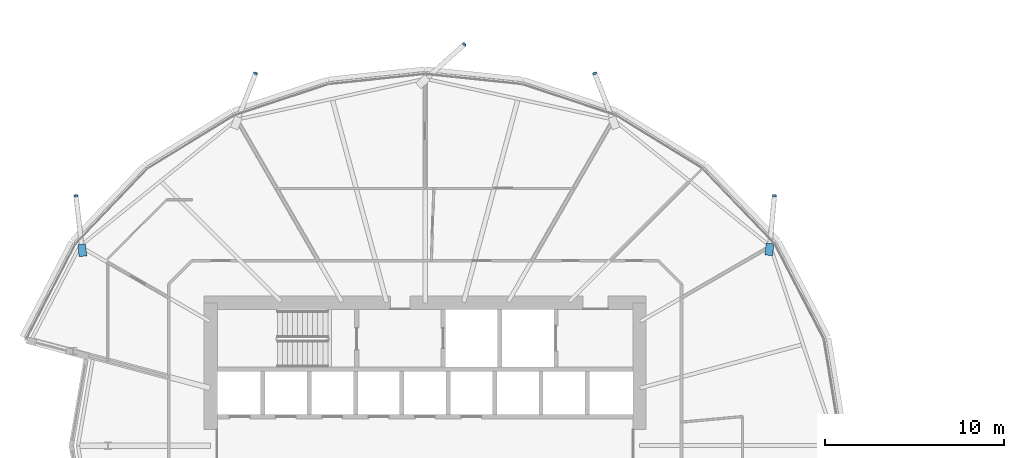
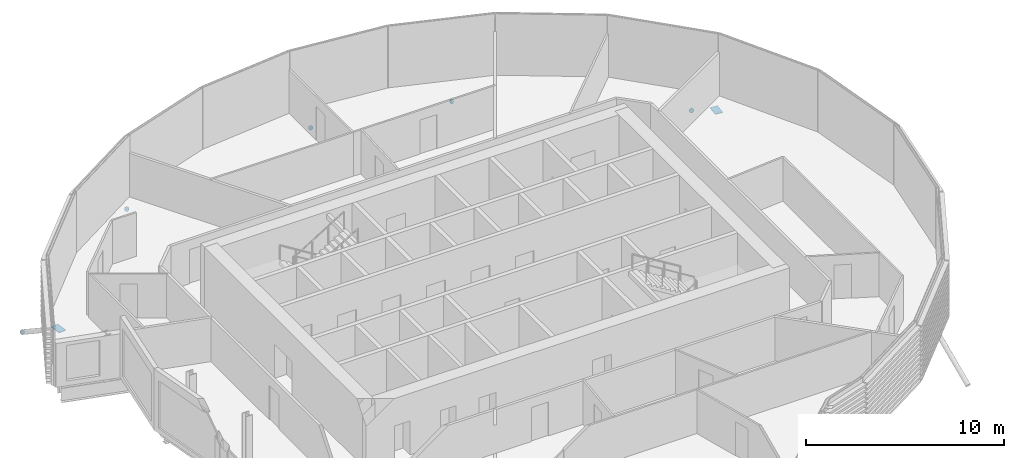
# One storey, part 30 of 39: 7 discrete accessories.
"""IFC4 building model written with IfcOpenShell, lengths in metres."""

import ifcopenshell
import ifcopenshell.guid

model = None  # the IFC model being written
_history = None  # IfcOwnerHistory: only IFC2X3 demands one
_inside = {}  # id of a spatial element -> (the spatial element, [elements in it])
_under = {}  # id of a project, library or spatial element -> (it, [spatial elements below it])
_declared = {}  # id of a project -> (the project, [libraries it declares])
_typed = {}  # id of a type object -> (the type object, [elements of that type])
_made_of = {}  # id of a material, layer set ... -> (it, [elements and type objects made of it])


def new_model(schema):
    """Start an empty IFC model of exactly this schema.

    Asked for "IFC4X3", IfcOpenShell would pick the latest addendum, in which some entities
    have other attributes; the version numbers below select the first issue.
    IFC2X3 requires an IfcOwnerHistory on every rooted entity: one is made here for all.
    """
    global model, _history
    if schema == "IFC4X3":
        model = ifcopenshell.file(schema_version=(4, 3, 0, 0))
    else:
        model = ifcopenshell.file(schema=schema)
    _inside.clear()
    _under.clear()
    _declared.clear()
    _typed.clear()
    _made_of.clear()
    _history = None
    if model.schema == "IFC2X3":
        org = make("IfcOrganization", Name="unknown")
        user = make(
            "IfcPersonAndOrganization",
            ThePerson=make("IfcPerson", FamilyName="unknown"),
            TheOrganization=org,
        )
        app = make(
            "IfcApplication",
            ApplicationDeveloper=org,
            Version="unknown",
            ApplicationFullName="unknown",
            ApplicationIdentifier="unknown",
        )
        _history = make(
            "IfcOwnerHistory",
            OwningUser=user,
            OwningApplication=app,
            ChangeAction="ADDED",
            CreationDate=0,
        )
    return model


def make(cls, **values):
    """One entity of the class cls with the attributes given. An attribute that is None is left unset."""
    return model.create_entity(
        cls, **{name: value for name, value in values.items() if value is not None}
    )


def rooted(cls, **values):
    """An entity with a GlobalId (a new one), such as an element, a storey or a relation."""
    return make(cls, GlobalId=ifcopenshell.guid.new(), OwnerHistory=_history, **values)


def si_unit(unit_type, name, prefix=None):
    """IfcSIUnit, for example si_unit("LENGTHUNIT", "METRE", prefix="MILLI")."""
    return make("IfcSIUnit", UnitType=unit_type, Prefix=prefix, Name=name)


def assignment(units):
    """IfcUnitAssignment: the units of a project."""
    return None if units is None else make("IfcUnitAssignment", Units=units)


def point(xyz):
    """IfcCartesianPoint."""
    return None if xyz is None else make("IfcCartesianPoint", Coordinates=xyz)


def direction(xyz):
    """IfcDirection."""
    return None if xyz is None else make("IfcDirection", DirectionRatios=xyz)


def frame(location, z_axis=None, x_axis=None):
    """IfcAxis2Placement3D, a coordinate frame: its origin and axes. An axis left out is left unset."""
    return make(
        "IfcAxis2Placement3D",
        Location=point(location),
        Axis=direction(z_axis),
        RefDirection=direction(x_axis),
    )


def frame_2d(location, x_axis=None):
    """IfcAxis2Placement2D, a coordinate frame in the plane: its origin and x axis."""
    return make(
        "IfcAxis2Placement2D", Location=point(location), RefDirection=direction(x_axis)
    )


def origin():
    """The frame at (0, 0, 0) with its axes left unset."""
    return frame((0.0, 0.0, 0.0))


def origin_2d():
    """The frame at (0, 0) in the plane with its x axis left unset."""
    return frame_2d((0.0, 0.0))


def place(relative_to, where):
    """IfcLocalPlacement: puts the frame where relative to a parent placement (None: the world)."""
    return make(
        "IfcLocalPlacement", PlacementRelTo=relative_to, RelativePlacement=where
    )


def context(
    kind, dimensions, precision=None, world=None, true_north=None, identifier=None
):
    """IfcGeometricRepresentationContext, for example the 3D "Model" context."""
    return make(
        "IfcGeometricRepresentationContext",
        ContextIdentifier=identifier,
        ContextType=kind,
        CoordinateSpaceDimension=dimensions,
        Precision=precision,
        WorldCoordinateSystem=world,
        TrueNorth=true_north,
    )


def subcontext(parent, identifier, kind, view, scale=None):
    """IfcGeometricRepresentationSubContext, for example "Body" below "Model"."""
    return make(
        "IfcGeometricRepresentationSubContext",
        ContextIdentifier=identifier,
        ContextType=kind,
        ParentContext=parent,
        TargetScale=scale,
        TargetView=view,
    )


def project(units=None, contexts=None):
    """IfcProject with its units and contexts."""
    return rooted(
        "IfcProject",
        Name="project",
        RepresentationContexts=contexts,
        UnitsInContext=assignment(units),
    )


def spatial(cls, under=None, at=None, **own):
    """A site, building, storey or space (cls), placed at a placement, below another one or the project."""
    s = rooted(cls, ObjectPlacement=at, **own)
    if under is not None:
        _under.setdefault(under.id(), (under, []))[1].append(s)
    return s


def polyline(points):
    """IfcPolyline through the points."""
    return make("IfcPolyline", Points=[point(p) for p in points])


def profile(cls, at=None, kind="AREA", **sizes):
    """A parametric profile (cls). Its sizes go by their IFC names, for example OverallWidth=200.0."""
    return make(cls, ProfileType=kind, Position=at, **sizes)


def rectangle(**sizes):
    """IfcRectangleProfileDef."""
    return profile("IfcRectangleProfileDef", **sizes)


def circle(**sizes):
    """IfcCircleProfileDef."""
    return profile("IfcCircleProfileDef", **sizes)


def outline(outer, holes=None, kind="AREA"):
    """IfcArbitraryClosedProfileDef: a profile drawn as a closed curve; with holes, ...WithVoids."""
    if holes is None:
        return make("IfcArbitraryClosedProfileDef", ProfileType=kind, OuterCurve=outer)
    return make(
        "IfcArbitraryProfileDefWithVoids",
        ProfileType=kind,
        OuterCurve=outer,
        InnerCurves=holes,
    )


def extrude(swept, where, along, depth):
    """IfcExtrudedAreaSolid: the profile swept, set in the frame where, extruded along a direction by depth."""
    return make(
        "IfcExtrudedAreaSolid",
        SweptArea=swept,
        Position=where,
        ExtrudedDirection=direction(along),
        Depth=depth,
    )


def shape(context_of_items, identifier, shape_type, items):
    """IfcShapeRepresentation: the items that make up one representation, for example the "Body"."""
    return make(
        "IfcShapeRepresentation",
        ContextOfItems=context_of_items,
        RepresentationIdentifier=identifier,
        RepresentationType=shape_type,
        Items=items,
    )


def material(Name=None, Category=None):
    """IfcMaterial."""
    return make("IfcMaterial", Name=Name, Category=Category)


def material_profile(
    of_material, cross_section, Name=None, Category=None, Priority=None
):
    """IfcMaterialProfile: a cross section and its material."""
    return make(
        "IfcMaterialProfile",
        Name=Name,
        Material=of_material,
        Profile=cross_section,
        Priority=Priority,
        Category=Category,
    )


def profile_set(profiles, Name=None, composite=None):
    """IfcMaterialProfileSet."""
    return make(
        "IfcMaterialProfileSet",
        Name=Name,
        MaterialProfiles=profiles,
        CompositeProfile=composite,
    )


def made_of(thing, what):
    """Note that an element or type object is made of a material, layer set ...; save() writes the relation."""
    if what is not None:
        _made_of.setdefault(what.id(), (what, []))[1].append(thing)
    return thing


def type_object(cls, material=None, **own):
    """A type object (cls), such as IfcWallType, which elements share."""
    return made_of(rooted(cls, **own), material)


def element(
    cls,
    number,
    at=None,
    inside=None,
    cuts=None,
    type_object=None,
    material=None,
    context=None,
    identifier="Body",
    shape_type=None,
    held_by="IfcProductDefinitionShape",
    body=None,
    shapes=None,
    **own,
):
    """One element of the class cls, such as IfcWall. Its Tag is "e" and its number.

    at: its placement. inside: the storey or other place that contains it. cuts: it is an
    opening in that element (IfcRelVoidsElement). A single representation is given by context,
    identifier, shape_type and body (its items); several are given by shapes. held_by: the class
    of the entity that holds the representations. save() writes the other relations.
    """
    e = rooted(cls, Tag="e%d" % number, ObjectPlacement=at, **own)
    if body is not None:
        shapes = [shape(context, identifier, shape_type, body)]
    if shapes is not None:
        e.Representation = make(held_by, Representations=shapes)
    if inside is not None:
        _inside.setdefault(inside.id(), (inside, []))[1].append(e)
    if cuts is not None:
        rooted(
            "IfcRelVoidsElement", RelatingBuildingElement=cuts, RelatedOpeningElement=e
        )
    if type_object is not None:
        _typed.setdefault(type_object.id(), (type_object, []))[1].append(e)
    return made_of(e, material)


def aggregate(whole, parts):
    """IfcRelAggregates: a whole, such as a stair, and the parts it consists of."""
    return rooted("IfcRelAggregates", RelatingObject=whole, RelatedObjects=parts)


def save(model, path):
    """Write the relations noted so far, then the file.

    IfcRelAggregates (storeys below a building ...), IfcRelContainedInSpatialStructure (elements
    in a storey), IfcRelDefinesByType, IfcRelAssociatesMaterial and IfcRelDeclares: one each for
    every whole, place, type object, material and project.
    """
    for whole, parts in _under.values():
        aggregate(whole, parts)
    for where, things in _inside.values():
        rooted(
            "IfcRelContainedInSpatialStructure",
            RelatedElements=things,
            RelatingStructure=where,
        )
    for kind, things in _typed.values():
        rooted("IfcRelDefinesByType", RelatedObjects=things, RelatingType=kind)
    for what, things in _made_of.values():
        rooted("IfcRelAssociatesMaterial", RelatedObjects=things, RelatingMaterial=what)
    for by, libraries in _declared.values():
        rooted("IfcRelDeclares", RelatingContext=by, RelatedDefinitions=libraries)
    model.write(path)


model = new_model("IFC4")

# Units and contexts
model_context = context("Model", 3, precision=1e-05, world=origin(), true_north=direction((0.0, 1.0)))
body_context = subcontext(model_context, "Body", "Model", "MODEL_VIEW")
ifc_project = project(units=[si_unit("LENGTHUNIT", "METRE"), si_unit("AREAUNIT", "SQUARE_METRE"), si_unit("VOLUMEUNIT", "CUBIC_METRE"), si_unit("PLANEANGLEUNIT", "RADIAN"), si_unit("MASSUNIT", "GRAM", prefix="KILO")], contexts=[model_context])

# Site, building, storey
site_placement = place(None, origin())
site = spatial("IfcSite", under=ifc_project, at=site_placement, CompositionType="ELEMENT")
building_placement = place(site_placement, origin())
building = spatial("IfcBuilding", under=site, at=building_placement, Name="Rimbun Link Towers", CompositionType="ELEMENT")
storey_placement = place(building_placement, frame((0.0, 0.0, 112.0)))
storey = spatial("IfcBuildingStorey", under=building, at=storey_placement, Name="L27", CompositionType="ELEMENT", Elevation=112.0)

# Discrete accessories
ifc_material_1 = material(Name="Steel S355J2H", Category="steel")
ifc_material_profile_1 = material_profile(ifc_material_1, circle(Radius=0.1240234375, at=origin_2d()), Name="PL D248")
ifc_profile_set_1 = profile_set([ifc_material_profile_1], Name="Steel S355J2H")
discrete_accessory_type_1 = type_object("IfcDiscreteAccessoryType", Name="Link foot sealing plate D248X20", PredefinedType="BRACKET", material=ifc_profile_set_1)
for number, where, z_axis, x_axis, name in (
    (1, (-12.20068359375, 13.9833984375, -2.562744140625), (0.073121811701, 0.840900834567, -0.536226619144), (-0.996240588196, 0.086629616365, 0.0), "Link foot sealing plate T1 L27 02"),
    (2, (-22.25634765625, 20.834716796875, -2.638427734375), (-0.306408444557, 0.784405618065, -0.53927886242), (-0.93145734948, -0.36385052714, 0.0), "Link foot sealing plate T1 L27 04"),
    (3, (-29.5634765625, 22.4560546875, -2.69140625), (0.636374333978, 0.575184494172, -0.513994654367), (-0.670539669218, 0.741873676582, 0.0), "Link foot sealing plate T1 L27 06"),
    (4, (-41.24365234375, 20.834716796875, -2.638427734375), (0.306408444557, 0.784405618065, -0.53927886242), (-0.93145734948, 0.36385052714, 0.0), "Link foot sealing plate T1 L27 08"),
    (5, (-51.291259765625, 13.982666015625, -2.5654296875), (-0.097925745355, 0.844609553683, -0.52635088128), (-0.993345736033, -0.11517052012, 0.0), "Link foot sealing plate T1 L27 10"),
):
    element("IfcDiscreteAccessory", number, at=place(storey_placement, frame(where, z_axis=z_axis, x_axis=x_axis)), inside=storey, type_object=discrete_accessory_type_1, Name=name, PredefinedType="BRACKET", context=body_context, shape_type="SweptSolid", body=[
        extrude(circle(Radius=0.1240234375, at=origin_2d()), origin(), (0.0, 0.0, 1.0), 0.02001953125),
    ])
ifc_material_2 = material(Name="Steel S355J2H", Category="steel")
ifc_material_profile_2 = material_profile(ifc_material_2, rectangle(XDim=0.43310546875, YDim=0.43310546875, at=origin_2d()), Name="PL 433x433")
ifc_profile_set_2 = profile_set([ifc_material_profile_2], Name="Steel S355J2H")
discrete_accessory_type_2 = type_object("IfcDiscreteAccessoryType", Name="Link head end plate 433X20", PredefinedType="BRACKET", material=ifc_profile_set_2)
discrete_accessory_1_placement = place(storey_placement, frame((0.0, 0.0, -0.63330078125)))
element("IfcDiscreteAccessory", 6, at=discrete_accessory_1_placement, inside=storey, type_object=discrete_accessory_type_2, Name="Link head end plate T1 L27 02", PredefinedType="BRACKET", context=body_context, shape_type="SweptSolid", body=[
    extrude(outline(polyline([(-12.2939453125, 10.635009765625), (-12.232421875, 11.298095703125), (-12.66357421875, 11.338134765625), (-12.72509765625, 10.675048828125), (-12.2939453125, 10.635009765625)])), origin(), (0.0, 0.0, 1.0), 0.02001953125),
])
discrete_accessory_2_placement = place(storey_placement, frame((0.0, 0.0, -0.63330078125)))
element("IfcDiscreteAccessory", 7, at=discrete_accessory_2_placement, inside=storey, type_object=discrete_accessory_type_2, Name="Link head end plate T1 L27 10", PredefinedType="BRACKET", context=body_context, shape_type="SweptSolid", body=[
    extrude(outline(polyline([(-50.68603515625, 10.629638671875), (-50.76318359375, 11.297119140625), (-51.193115234375, 11.247314453125), (-51.1162109375, 10.579833984375), (-50.68603515625, 10.629638671875)])), origin(), (0.0, 0.0, 1.0), 0.02001953125),
])

save(model, "model.ifc")
